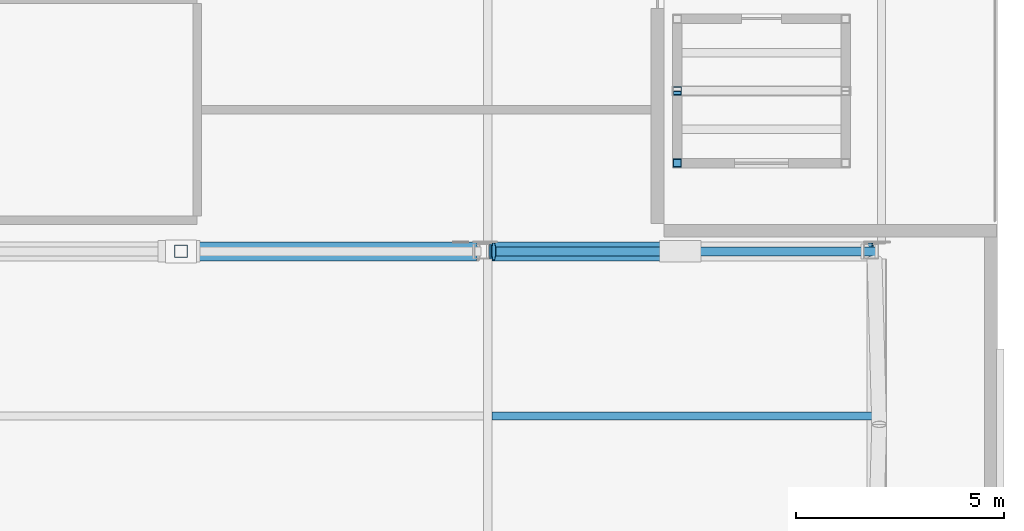
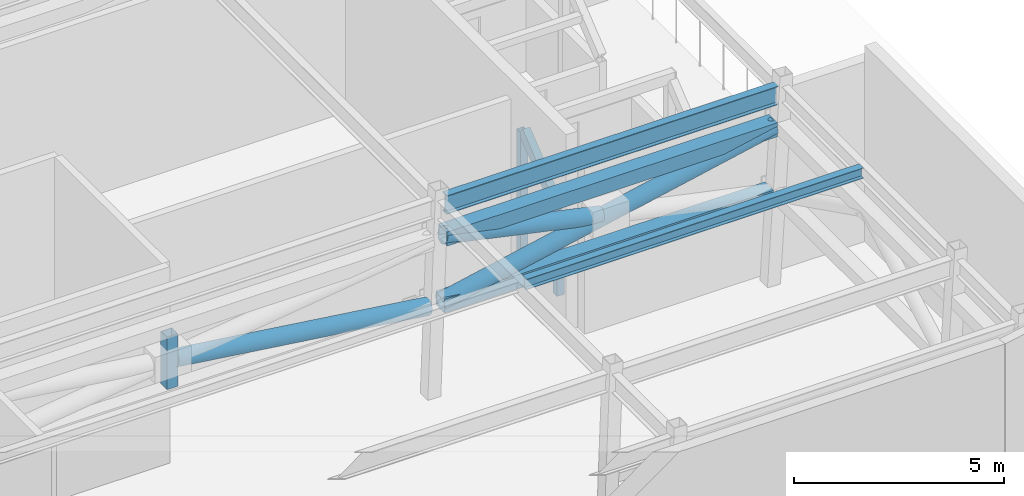
# One storey, part 2 of 12: 9 members, 2 beams.
"""IFC4 building model written with IfcOpenShell, lengths in metres."""

import ifcopenshell
import ifcopenshell.guid

model = None  # the IFC model being written
_history = None  # IfcOwnerHistory: only IFC2X3 demands one
_inside = {}  # id of a spatial element -> (the spatial element, [elements in it])
_under = {}  # id of a project, library or spatial element -> (it, [spatial elements below it])
_declared = {}  # id of a project -> (the project, [libraries it declares])
_typed = {}  # id of a type object -> (the type object, [elements of that type])
_made_of = {}  # id of a material, layer set ... -> (it, [elements and type objects made of it])


def new_model(schema):
    """Start an empty IFC model of exactly this schema.

    Asked for "IFC4X3", IfcOpenShell would pick the latest addendum, in which some entities
    have other attributes; the version numbers below select the first issue.
    IFC2X3 requires an IfcOwnerHistory on every rooted entity: one is made here for all.
    """
    global model, _history
    if schema == "IFC4X3":
        model = ifcopenshell.file(schema_version=(4, 3, 0, 0))
    else:
        model = ifcopenshell.file(schema=schema)
    _inside.clear()
    _under.clear()
    _declared.clear()
    _typed.clear()
    _made_of.clear()
    _history = None
    if model.schema == "IFC2X3":
        org = make("IfcOrganization", Name="unknown")
        user = make(
            "IfcPersonAndOrganization",
            ThePerson=make("IfcPerson", FamilyName="unknown"),
            TheOrganization=org,
        )
        app = make(
            "IfcApplication",
            ApplicationDeveloper=org,
            Version="unknown",
            ApplicationFullName="unknown",
            ApplicationIdentifier="unknown",
        )
        _history = make(
            "IfcOwnerHistory",
            OwningUser=user,
            OwningApplication=app,
            ChangeAction="ADDED",
            CreationDate=0,
        )
    return model


def make(cls, **values):
    """One entity of the class cls with the attributes given. An attribute that is None is left unset."""
    return model.create_entity(
        cls, **{name: value for name, value in values.items() if value is not None}
    )


def rooted(cls, **values):
    """An entity with a GlobalId (a new one), such as an element, a storey or a relation."""
    return make(cls, GlobalId=ifcopenshell.guid.new(), OwnerHistory=_history, **values)


def si_unit(unit_type, name, prefix=None):
    """IfcSIUnit, for example si_unit("LENGTHUNIT", "METRE", prefix="MILLI")."""
    return make("IfcSIUnit", UnitType=unit_type, Prefix=prefix, Name=name)


def assignment(units):
    """IfcUnitAssignment: the units of a project."""
    return None if units is None else make("IfcUnitAssignment", Units=units)


def point(xyz):
    """IfcCartesianPoint."""
    return None if xyz is None else make("IfcCartesianPoint", Coordinates=xyz)


def direction(xyz):
    """IfcDirection."""
    return None if xyz is None else make("IfcDirection", DirectionRatios=xyz)


def frame(location, z_axis=None, x_axis=None):
    """IfcAxis2Placement3D, a coordinate frame: its origin and axes. An axis left out is left unset."""
    return make(
        "IfcAxis2Placement3D",
        Location=point(location),
        Axis=direction(z_axis),
        RefDirection=direction(x_axis),
    )


def frame_2d(location, x_axis=None):
    """IfcAxis2Placement2D, a coordinate frame in the plane: its origin and x axis."""
    return make(
        "IfcAxis2Placement2D", Location=point(location), RefDirection=direction(x_axis)
    )


def origin():
    """The frame at (0, 0, 0) with its axes left unset."""
    return frame((0.0, 0.0, 0.0))


def origin_2d():
    """The frame at (0, 0) in the plane with its x axis left unset."""
    return frame_2d((0.0, 0.0))


def place(relative_to, where):
    """IfcLocalPlacement: puts the frame where relative to a parent placement (None: the world)."""
    return make(
        "IfcLocalPlacement", PlacementRelTo=relative_to, RelativePlacement=where
    )


def context(
    kind, dimensions, precision=None, world=None, true_north=None, identifier=None
):
    """IfcGeometricRepresentationContext, for example the 3D "Model" context."""
    return make(
        "IfcGeometricRepresentationContext",
        ContextIdentifier=identifier,
        ContextType=kind,
        CoordinateSpaceDimension=dimensions,
        Precision=precision,
        WorldCoordinateSystem=world,
        TrueNorth=true_north,
    )


def subcontext(parent, identifier, kind, view, scale=None):
    """IfcGeometricRepresentationSubContext, for example "Body" below "Model"."""
    return make(
        "IfcGeometricRepresentationSubContext",
        ContextIdentifier=identifier,
        ContextType=kind,
        ParentContext=parent,
        TargetScale=scale,
        TargetView=view,
    )


def project(units=None, contexts=None):
    """IfcProject with its units and contexts."""
    return rooted(
        "IfcProject",
        Name="project",
        RepresentationContexts=contexts,
        UnitsInContext=assignment(units),
    )


def spatial(cls, under=None, at=None, **own):
    """A site, building, storey or space (cls), placed at a placement, below another one or the project."""
    s = rooted(cls, ObjectPlacement=at, **own)
    if under is not None:
        _under.setdefault(under.id(), (under, []))[1].append(s)
    return s


def profile(cls, at=None, kind="AREA", **sizes):
    """A parametric profile (cls). Its sizes go by their IFC names, for example OverallWidth=200.0."""
    return make(cls, ProfileType=kind, Position=at, **sizes)


def hollow_rectangle(**sizes):
    """IfcRectangleHollowProfileDef."""
    return profile("IfcRectangleHollowProfileDef", **sizes)


def hollow_circle(**sizes):
    """IfcCircleHollowProfileDef."""
    return profile("IfcCircleHollowProfileDef", **sizes)


def i_section(**sizes):
    """IfcIShapeProfileDef."""
    return profile("IfcIShapeProfileDef", **sizes)


def extrude(swept, where, along, depth):
    """IfcExtrudedAreaSolid: the profile swept, set in the frame where, extruded along a direction by depth."""
    return make(
        "IfcExtrudedAreaSolid",
        SweptArea=swept,
        Position=where,
        ExtrudedDirection=direction(along),
        Depth=depth,
    )


def shape(context_of_items, identifier, shape_type, items):
    """IfcShapeRepresentation: the items that make up one representation, for example the "Body"."""
    return make(
        "IfcShapeRepresentation",
        ContextOfItems=context_of_items,
        RepresentationIdentifier=identifier,
        RepresentationType=shape_type,
        Items=items,
    )


def material(Name=None, Category=None):
    """IfcMaterial."""
    return make("IfcMaterial", Name=Name, Category=Category)


def material_profile(
    of_material, cross_section, Name=None, Category=None, Priority=None
):
    """IfcMaterialProfile: a cross section and its material."""
    return make(
        "IfcMaterialProfile",
        Name=Name,
        Material=of_material,
        Profile=cross_section,
        Priority=Priority,
        Category=Category,
    )


def profile_set(profiles, Name=None, composite=None):
    """IfcMaterialProfileSet."""
    return make(
        "IfcMaterialProfileSet",
        Name=Name,
        MaterialProfiles=profiles,
        CompositeProfile=composite,
    )


def made_of(thing, what):
    """Note that an element or type object is made of a material, layer set ...; save() writes the relation."""
    if what is not None:
        _made_of.setdefault(what.id(), (what, []))[1].append(thing)
    return thing


def type_object(cls, material=None, **own):
    """A type object (cls), such as IfcWallType, which elements share."""
    return made_of(rooted(cls, **own), material)


def element(
    cls,
    number,
    at=None,
    inside=None,
    cuts=None,
    type_object=None,
    material=None,
    context=None,
    identifier="Body",
    shape_type=None,
    held_by="IfcProductDefinitionShape",
    body=None,
    shapes=None,
    **own,
):
    """One element of the class cls, such as IfcWall. Its Tag is "e" and its number.

    at: its placement. inside: the storey or other place that contains it. cuts: it is an
    opening in that element (IfcRelVoidsElement). A single representation is given by context,
    identifier, shape_type and body (its items); several are given by shapes. held_by: the class
    of the entity that holds the representations. save() writes the other relations.
    """
    e = rooted(cls, Tag="e%d" % number, ObjectPlacement=at, **own)
    if body is not None:
        shapes = [shape(context, identifier, shape_type, body)]
    if shapes is not None:
        e.Representation = make(held_by, Representations=shapes)
    if inside is not None:
        _inside.setdefault(inside.id(), (inside, []))[1].append(e)
    if cuts is not None:
        rooted(
            "IfcRelVoidsElement", RelatingBuildingElement=cuts, RelatedOpeningElement=e
        )
    if type_object is not None:
        _typed.setdefault(type_object.id(), (type_object, []))[1].append(e)
    return made_of(e, material)


def aggregate(whole, parts):
    """IfcRelAggregates: a whole, such as a stair, and the parts it consists of."""
    return rooted("IfcRelAggregates", RelatingObject=whole, RelatedObjects=parts)


def save(model, path):
    """Write the relations noted so far, then the file.

    IfcRelAggregates (storeys below a building ...), IfcRelContainedInSpatialStructure (elements
    in a storey), IfcRelDefinesByType, IfcRelAssociatesMaterial and IfcRelDeclares: one each for
    every whole, place, type object, material and project.
    """
    for whole, parts in _under.values():
        aggregate(whole, parts)
    for where, things in _inside.values():
        rooted(
            "IfcRelContainedInSpatialStructure",
            RelatedElements=things,
            RelatingStructure=where,
        )
    for kind, things in _typed.values():
        rooted("IfcRelDefinesByType", RelatedObjects=things, RelatingType=kind)
    for what, things in _made_of.values():
        rooted("IfcRelAssociatesMaterial", RelatedObjects=things, RelatingMaterial=what)
    for by, libraries in _declared.values():
        rooted("IfcRelDeclares", RelatingContext=by, RelatedDefinitions=libraries)
    model.write(path)


model = new_model("IFC4")

# Units and contexts
model_context = context("Model", 3, precision=1e-05, world=origin(), true_north=direction((0.0, 1.0)))
body_context = subcontext(model_context, "Body", "Model", "MODEL_VIEW")
ifc_project = project(units=[si_unit("LENGTHUNIT", "METRE"), si_unit("AREAUNIT", "SQUARE_METRE"), si_unit("VOLUMEUNIT", "CUBIC_METRE"), si_unit("PLANEANGLEUNIT", "RADIAN"), si_unit("MASSUNIT", "GRAM", prefix="KILO")], contexts=[model_context])

# Site, building, storey
site_placement = place(None, origin())
site = spatial("IfcSite", under=ifc_project, at=site_placement, CompositionType="ELEMENT")
building_placement = place(site_placement, origin())
building = spatial("IfcBuilding", under=site, at=building_placement, Name="Ochreholt Gables", CompositionType="ELEMENT")
storey_placement = place(building_placement, frame((0.0, 0.0, 287.0)))
storey = spatial("IfcBuildingStorey", under=building, at=storey_placement, Name="L75", CompositionType="ELEMENT", Elevation=287.0)

# Beams
ifc_material = material(Name="Steel CSA G40.21 350W", Category="steel")
ifc_material_profile_1 = material_profile(ifc_material, i_section(OverallWidth=0.2109375, OverallDepth=0.5390625, WebThickness=0.01171875, FlangeThickness=0.018798828125, at=origin_2d()), Name="W530X109")
ifc_profile_set_1 = profile_set([ifc_material_profile_1], Name="Steel CSA G40.21 350W")
beam_type_1 = type_object("IfcBeamType", Name="BM-G-W530A", PredefinedType="BEAM", material=ifc_profile_set_1)
beam_1_placement = place(storey_placement, frame((50.36865234375, 17.550048828125, 5.430419921875), z_axis=(1.0, 0.0, 0.0), x_axis=(0.0, 1.0, 0.0)))
element("IfcBeam", 1, at=beam_1_placement, inside=storey, type_object=beam_type_1, Name="L75 Beam TBG-L75-EMEE-Y3", PredefinedType="BEAM", context=body_context, shape_type="SweptSolid", body=[
    extrude(i_section(OverallWidth=0.2109375, OverallDepth=0.5390625, WebThickness=0.01171875, FlangeThickness=0.018798828125, at=origin_2d()), origin(), (0.0, 0.0, 1.0), 9.1044921875),
])
ifc_material_profile_2 = material_profile(ifc_material, i_section(OverallWidth=0.202880859375, OverallDepth=0.302978515625, WebThickness=0.007568359375, FlangeThickness=0.01318359375, at=origin_2d()), Name="W310X60")
ifc_profile_set_2 = profile_set([ifc_material_profile_2], Name="Steel CSA G40.21 350W")
beam_type_2 = type_object("IfcBeamType", Name="BM-J-W310", PredefinedType="JOIST", material=ifc_profile_set_2)
beam_2_placement = place(storey_placement, frame((50.27685546875, 13.60009765625, 5.548583984375), z_axis=(1.0, 0.0, 0.0), x_axis=(0.0, 1.0, 0.0)))
element("IfcBeam", 2, at=beam_2_placement, inside=storey, type_object=beam_type_2, Name="L75 Beam TBJ-L75-J1-EMEE", PredefinedType="JOIST", context=body_context, shape_type="SweptSolid", body=[
    extrude(i_section(OverallWidth=0.202880859375, OverallDepth=0.302978515625, WebThickness=0.007568359375, FlangeThickness=0.01318359375, at=origin_2d()), origin(), (0.0, 0.0, 1.0), 9.246337890625),
])

# Members
ifc_material_profile_3 = material_profile(ifc_material, hollow_rectangle(XDim=0.304931640625, YDim=0.304931640625, WallThickness=0.0126953125, at=origin_2d()), Name="HSS305X305X13")
ifc_profile_set_3 = profile_set([ifc_material_profile_3], Name="Steel CSA G40.21 350W")
member_type_1 = type_object("IfcMemberType", Name="MEM-BL-PT1", PredefinedType="POST", material=ifc_profile_set_3)
member_1_placement = place(storey_placement, frame((42.810791015625, 17.550048828125, 2.802490234375), z_axis=(0.0, 0.0, 1.0), x_axis=(1.0, 0.0, 0.0)))
element("IfcMember", 3, at=member_1_placement, inside=storey, type_object=member_type_1, Name="L75 Outrigger Mid-Bay Post S", PredefinedType="POST", context=body_context, shape_type="SweptSolid", body=[
    extrude(hollow_rectangle(XDim=0.304931640625, YDim=0.304931640625, WallThickness=0.0126953125, at=origin_2d()), origin(), (0.0, 0.0, 1.0), 1.514892578125),
])
ifc_material_profile_4 = material_profile(ifc_material, hollow_rectangle(XDim=0.202880859375, YDim=0.202880859375, WallThickness=0.009521484375, at=origin_2d()), Name="HSS203X203X10")
ifc_profile_set_4 = profile_set([ifc_material_profile_4], Name="Steel CSA G40.21 350W")
member_type_2 = type_object("IfcMemberType", Name="MEM-GB-PT2", PredefinedType="POST", material=ifc_profile_set_4)
member_2_placement = place(storey_placement, frame((54.719970703125, 19.669921875, 0.0), z_axis=(0.0, 0.0, 1.0), x_axis=(1.0, 0.0, 0.0)))
element("IfcMember", 4, at=member_2_placement, inside=storey, type_object=member_type_2, Name="L75 Gable Pavilion Post GB-75C1-P1", PredefinedType="POST", context=body_context, shape_type="SweptSolid", body=[
    extrude(hollow_rectangle(XDim=0.202880859375, YDim=0.202880859375, WallThickness=0.009521484375, at=origin_2d()), origin(), (0.0, 0.0, 1.0), 2.33984375),
])
member_3_placement = place(storey_placement, frame((54.719970703125, 21.39990234375, 0.0), z_axis=(0.0, 0.0, 1.0), x_axis=(1.0, 0.0, 0.0)))
element("IfcMember", 5, at=member_3_placement, inside=storey, type_object=member_type_2, Name="L75 Gable Ridge Post GB-75C1-PRG1", PredefinedType="POST", context=body_context, shape_type="SweptSolid", body=[
    extrude(hollow_rectangle(XDim=0.202880859375, YDim=0.202880859375, WallThickness=0.009521484375, at=origin_2d()), origin(), (0.0, 0.0, 1.0), 3.698974609375),
])
ifc_material_profile_5 = material_profile(ifc_material, hollow_rectangle(XDim=0.202880859375, YDim=0.304931640625, WallThickness=0.0126953125, at=origin_2d()), Name="HSS305X203X13")
ifc_profile_set_5 = profile_set([ifc_material_profile_5], Name="Steel CSA G40.21 350W")
member_type_3 = type_object("IfcMemberType", Name="MEM-GB-RF1", PredefinedType="RAFTER", material=ifc_profile_set_5)
member_4_placement = place(storey_placement, frame((54.719970703125, 19.669921875, 2.43359375), z_axis=(0.0, 0.777366954091, 0.629047389858), x_axis=(-1.0, 0.0, 0.0)))
element("IfcMember", 6, at=member_4_placement, inside=storey, type_object=member_type_3, Name="L75 Gable South Rafter 1 GB-75C1", PredefinedType="RAFTER", context=body_context, shape_type="SweptSolid", body=[
    extrude(hollow_rectangle(XDim=0.202880859375, YDim=0.304931640625, WallThickness=0.0126953125, at=origin_2d()), origin(), (0.0, 0.0, 1.0), 2.095458984375),
])
ifc_material_profile_6 = material_profile(ifc_material, hollow_circle(Radius=0.228515625, WallThickness=0.01611328125, at=origin_2d()), Name="CHS457X16")
ifc_profile_set_6 = profile_set([ifc_material_profile_6], Name="Steel CSA G40.21 350W")
member_type_4 = type_object("IfcMemberType", Name="MEM-OU-BR1", PredefinedType="BRACE", material=ifc_profile_set_6)
member_5_placement = place(storey_placement, frame((49.894287109375, 17.550048828125, 2.60009765625), z_axis=(-0.991103443416, 0.0, 0.13309381822), x_axis=(0.0, -1.0, 0.0)))
element("IfcMember", 7, at=member_5_placement, inside=storey, type_object=member_type_4, Name="L75 Outrigger Truss S Split Diagonal 2A", PredefinedType="BRACE", context=body_context, shape_type="SweptSolid", body=[
    extrude(hollow_circle(Radius=0.228515625, WallThickness=0.01611328125, at=origin_2d()), origin(), (0.0, 0.0, 1.0), 7.0146484375),
])
member_6_placement = place(storey_placement, frame((50.24951171875, 17.550048828125, 2.60009765625), z_axis=(0.978632929694, 0.0, 0.205615147589), x_axis=(0.0, 1.0, 0.0)))
element("IfcMember", 8, at=member_6_placement, inside=storey, type_object=member_type_4, Name="L75 Outrigger Truss S Continuous Diagonal 3", PredefinedType="BRACE", context=body_context, shape_type="SweptSolid", body=[
    extrude(hollow_circle(Radius=0.228515625, WallThickness=0.01611328125, at=origin_2d()), origin(), (0.0, 0.0, 1.0), 9.33740234375),
])
member_7_placement = place(storey_placement, frame((54.614501953125, 17.550048828125, 3.591796875), z_axis=(-0.977460641212, 0.0, 0.21111772754), x_axis=(0.0, -1.0, 0.0)))
element("IfcMember", 9, at=member_7_placement, inside=storey, type_object=member_type_4, Name="L75 Outrigger Truss S Split Diagonal 4B", PredefinedType="BRACE", context=body_context, shape_type="SweptSolid", body=[
    extrude(hollow_circle(Radius=0.228515625, WallThickness=0.01611328125, at=origin_2d()), origin(), (0.0, 0.0, 1.0), 4.396728515625),
])
ifc_material_profile_7 = material_profile(ifc_material, hollow_rectangle(XDim=0.406005859375, YDim=0.406005859375, WallThickness=0.01611328125, at=origin_2d()), Name="HSS406X406X16")
ifc_profile_set_7 = profile_set([ifc_material_profile_7], Name="Steel CSA G40.21 350W")
member_type_5 = type_object("IfcMemberType", Name="MEM-OU-CH1", PredefinedType="CHORD", material=ifc_profile_set_7)
member_8_placement = place(storey_placement, frame((50.24951171875, 17.550048828125, 2.60009765625), z_axis=(1.0, 0.0, 0.0), x_axis=(0.0, 1.0, 0.0)))
element("IfcMember", 10, at=member_8_placement, inside=storey, type_object=member_type_5, Name="L75 Outrigger Truss S Bottom Chord 2", PredefinedType="CHORD", context=body_context, shape_type="SweptSolid", body=[
    extrude(hollow_rectangle(XDim=0.406005859375, YDim=0.406005859375, WallThickness=0.01611328125, at=origin_2d()), origin(), (0.0, 0.0, 1.0), 9.0263671875),
])
member_9_placement = place(storey_placement, frame((50.31689453125, 17.550048828125, 4.52001953125), z_axis=(1.0, 0.0, 0.0), x_axis=(0.0, 1.0, 0.0)))
element("IfcMember", 11, at=member_9_placement, inside=storey, type_object=member_type_5, Name="L75 Outrigger Truss S Top Chord 2", PredefinedType="CHORD", context=body_context, shape_type="SweptSolid", body=[
    extrude(hollow_rectangle(XDim=0.406005859375, YDim=0.406005859375, WallThickness=0.01611328125, at=origin_2d()), origin(), (0.0, 0.0, 1.0), 9.070556640625),
])

save(model, "model.ifc")
